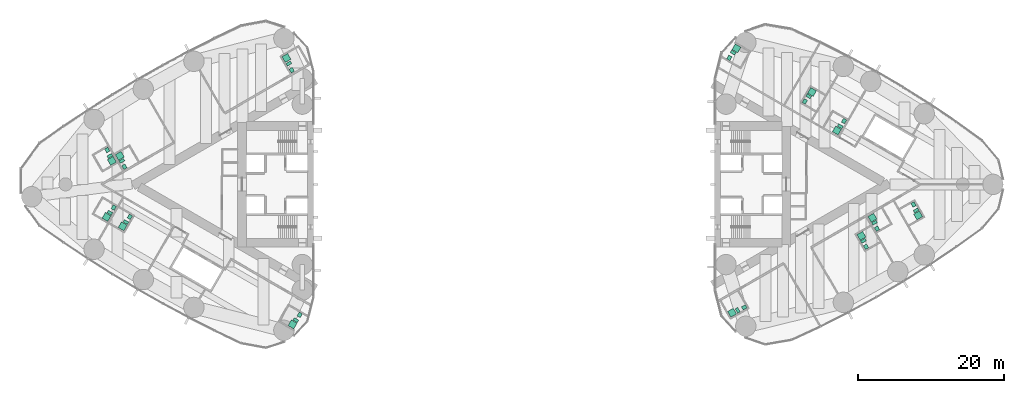
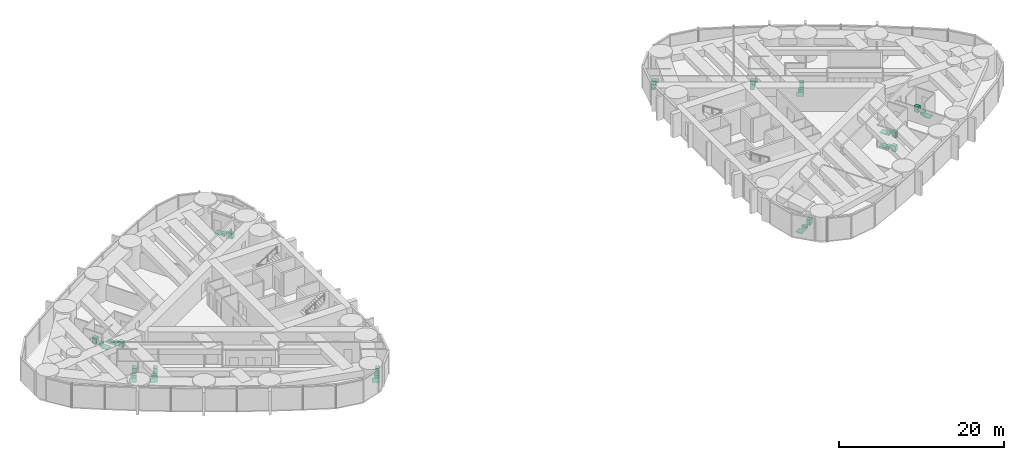
# One storey, part 18 of 18: 17 sanitary terminals.
"""IFC4 building model written with IfcOpenShell, lengths in metres."""

import ifcopenshell
import ifcopenshell.guid

model = None  # the IFC model being written
_history = None  # IfcOwnerHistory: only IFC2X3 demands one
_inside = {}  # id of a spatial element -> (the spatial element, [elements in it])
_under = {}  # id of a project, library or spatial element -> (it, [spatial elements below it])
_declared = {}  # id of a project -> (the project, [libraries it declares])
_typed = {}  # id of a type object -> (the type object, [elements of that type])
_made_of = {}  # id of a material, layer set ... -> (it, [elements and type objects made of it])


def new_model(schema):
    """Start an empty IFC model of exactly this schema.

    Asked for "IFC4X3", IfcOpenShell would pick the latest addendum, in which some entities
    have other attributes; the version numbers below select the first issue.
    IFC2X3 requires an IfcOwnerHistory on every rooted entity: one is made here for all.
    """
    global model, _history
    if schema == "IFC4X3":
        model = ifcopenshell.file(schema_version=(4, 3, 0, 0))
    else:
        model = ifcopenshell.file(schema=schema)
    _inside.clear()
    _under.clear()
    _declared.clear()
    _typed.clear()
    _made_of.clear()
    _history = None
    if model.schema == "IFC2X3":
        org = make("IfcOrganization", Name="unknown")
        user = make(
            "IfcPersonAndOrganization",
            ThePerson=make("IfcPerson", FamilyName="unknown"),
            TheOrganization=org,
        )
        app = make(
            "IfcApplication",
            ApplicationDeveloper=org,
            Version="unknown",
            ApplicationFullName="unknown",
            ApplicationIdentifier="unknown",
        )
        _history = make(
            "IfcOwnerHistory",
            OwningUser=user,
            OwningApplication=app,
            ChangeAction="ADDED",
            CreationDate=0,
        )
    return model


def make(cls, **values):
    """One entity of the class cls with the attributes given. An attribute that is None is left unset."""
    return model.create_entity(
        cls, **{name: value for name, value in values.items() if value is not None}
    )


def rooted(cls, **values):
    """An entity with a GlobalId (a new one), such as an element, a storey or a relation."""
    return make(cls, GlobalId=ifcopenshell.guid.new(), OwnerHistory=_history, **values)


def si_unit(unit_type, name, prefix=None):
    """IfcSIUnit, for example si_unit("LENGTHUNIT", "METRE", prefix="MILLI")."""
    return make("IfcSIUnit", UnitType=unit_type, Prefix=prefix, Name=name)


def assignment(units):
    """IfcUnitAssignment: the units of a project."""
    return None if units is None else make("IfcUnitAssignment", Units=units)


def point(xyz):
    """IfcCartesianPoint."""
    return None if xyz is None else make("IfcCartesianPoint", Coordinates=xyz)


def direction(xyz):
    """IfcDirection."""
    return None if xyz is None else make("IfcDirection", DirectionRatios=xyz)


def frame(location, z_axis=None, x_axis=None):
    """IfcAxis2Placement3D, a coordinate frame: its origin and axes. An axis left out is left unset."""
    return make(
        "IfcAxis2Placement3D",
        Location=point(location),
        Axis=direction(z_axis),
        RefDirection=direction(x_axis),
    )


def frame_2d(location, x_axis=None):
    """IfcAxis2Placement2D, a coordinate frame in the plane: its origin and x axis."""
    return make(
        "IfcAxis2Placement2D", Location=point(location), RefDirection=direction(x_axis)
    )


def origin():
    """The frame at (0, 0, 0) with its axes left unset."""
    return frame((0.0, 0.0, 0.0))


def origin_2d():
    """The frame at (0, 0) in the plane with its x axis left unset."""
    return frame_2d((0.0, 0.0))


def place(relative_to, where):
    """IfcLocalPlacement: puts the frame where relative to a parent placement (None: the world)."""
    return make(
        "IfcLocalPlacement", PlacementRelTo=relative_to, RelativePlacement=where
    )


def context(
    kind, dimensions, precision=None, world=None, true_north=None, identifier=None
):
    """IfcGeometricRepresentationContext, for example the 3D "Model" context."""
    return make(
        "IfcGeometricRepresentationContext",
        ContextIdentifier=identifier,
        ContextType=kind,
        CoordinateSpaceDimension=dimensions,
        Precision=precision,
        WorldCoordinateSystem=world,
        TrueNorth=true_north,
    )


def subcontext(parent, identifier, kind, view, scale=None):
    """IfcGeometricRepresentationSubContext, for example "Body" below "Model"."""
    return make(
        "IfcGeometricRepresentationSubContext",
        ContextIdentifier=identifier,
        ContextType=kind,
        ParentContext=parent,
        TargetScale=scale,
        TargetView=view,
    )


def project(units=None, contexts=None):
    """IfcProject with its units and contexts."""
    return rooted(
        "IfcProject",
        Name="project",
        RepresentationContexts=contexts,
        UnitsInContext=assignment(units),
    )


def spatial(cls, under=None, at=None, **own):
    """A site, building, storey or space (cls), placed at a placement, below another one or the project."""
    s = rooted(cls, ObjectPlacement=at, **own)
    if under is not None:
        _under.setdefault(under.id(), (under, []))[1].append(s)
    return s


def profile(cls, at=None, kind="AREA", **sizes):
    """A parametric profile (cls). Its sizes go by their IFC names, for example OverallWidth=200.0."""
    return make(cls, ProfileType=kind, Position=at, **sizes)


def rectangle(**sizes):
    """IfcRectangleProfileDef."""
    return profile("IfcRectangleProfileDef", **sizes)


def extrude(swept, where, along, depth):
    """IfcExtrudedAreaSolid: the profile swept, set in the frame where, extruded along a direction by depth."""
    return make(
        "IfcExtrudedAreaSolid",
        SweptArea=swept,
        Position=where,
        ExtrudedDirection=direction(along),
        Depth=depth,
    )


def shape(context_of_items, identifier, shape_type, items):
    """IfcShapeRepresentation: the items that make up one representation, for example the "Body"."""
    return make(
        "IfcShapeRepresentation",
        ContextOfItems=context_of_items,
        RepresentationIdentifier=identifier,
        RepresentationType=shape_type,
        Items=items,
    )


def material(Name=None, Category=None):
    """IfcMaterial."""
    return make("IfcMaterial", Name=Name, Category=Category)


def made_of(thing, what):
    """Note that an element or type object is made of a material, layer set ...; save() writes the relation."""
    if what is not None:
        _made_of.setdefault(what.id(), (what, []))[1].append(thing)
    return thing


def type_object(cls, material=None, **own):
    """A type object (cls), such as IfcWallType, which elements share."""
    return made_of(rooted(cls, **own), material)


def element(
    cls,
    number,
    at=None,
    inside=None,
    cuts=None,
    type_object=None,
    material=None,
    context=None,
    identifier="Body",
    shape_type=None,
    held_by="IfcProductDefinitionShape",
    body=None,
    shapes=None,
    **own,
):
    """One element of the class cls, such as IfcWall. Its Tag is "e" and its number.

    at: its placement. inside: the storey or other place that contains it. cuts: it is an
    opening in that element (IfcRelVoidsElement). A single representation is given by context,
    identifier, shape_type and body (its items); several are given by shapes. held_by: the class
    of the entity that holds the representations. save() writes the other relations.
    """
    e = rooted(cls, Tag="e%d" % number, ObjectPlacement=at, **own)
    if body is not None:
        shapes = [shape(context, identifier, shape_type, body)]
    if shapes is not None:
        e.Representation = make(held_by, Representations=shapes)
    if inside is not None:
        _inside.setdefault(inside.id(), (inside, []))[1].append(e)
    if cuts is not None:
        rooted(
            "IfcRelVoidsElement", RelatingBuildingElement=cuts, RelatedOpeningElement=e
        )
    if type_object is not None:
        _typed.setdefault(type_object.id(), (type_object, []))[1].append(e)
    return made_of(e, material)


def aggregate(whole, parts):
    """IfcRelAggregates: a whole, such as a stair, and the parts it consists of."""
    return rooted("IfcRelAggregates", RelatingObject=whole, RelatedObjects=parts)


def save(model, path):
    """Write the relations noted so far, then the file.

    IfcRelAggregates (storeys below a building ...), IfcRelContainedInSpatialStructure (elements
    in a storey), IfcRelDefinesByType, IfcRelAssociatesMaterial and IfcRelDeclares: one each for
    every whole, place, type object, material and project.
    """
    for whole, parts in _under.values():
        aggregate(whole, parts)
    for where, things in _inside.values():
        rooted(
            "IfcRelContainedInSpatialStructure",
            RelatedElements=things,
            RelatingStructure=where,
        )
    for kind, things in _typed.values():
        rooted("IfcRelDefinesByType", RelatedObjects=things, RelatingType=kind)
    for what, things in _made_of.values():
        rooted("IfcRelAssociatesMaterial", RelatedObjects=things, RelatingMaterial=what)
    for by, libraries in _declared.values():
        rooted("IfcRelDeclares", RelatingContext=by, RelatedDefinitions=libraries)
    model.write(path)


model = new_model("IFC4")

# Units and contexts
model_context = context("Model", 3, precision=1e-05, world=origin(), true_north=direction((0.0, 1.0)))
body_context = subcontext(model_context, "Body", "Model", "MODEL_VIEW")
ifc_project = project(units=[si_unit("LENGTHUNIT", "METRE"), si_unit("AREAUNIT", "SQUARE_METRE"), si_unit("VOLUMEUNIT", "CUBIC_METRE"), si_unit("PLANEANGLEUNIT", "RADIAN"), si_unit("MASSUNIT", "GRAM", prefix="KILO")], contexts=[model_context])

# Site, building, storey
site_placement = place(None, origin())
site = spatial("IfcSite", under=ifc_project, at=site_placement, CompositionType="ELEMENT")
building_placement = place(site_placement, origin())
building = spatial("IfcBuilding", under=site, at=building_placement, Name="Lancet Gate Hotel", CompositionType="ELEMENT")
storey_placement = place(building_placement, frame((0.0, 0.0, 166.800048828125)))
storey = spatial("IfcBuildingStorey", under=building, at=storey_placement, Name="L44", CompositionType="ELEMENT", Elevation=166.800048828125)

# Sanitary terminals
ifc_material_1 = material(Name="Vitreous china sanitary ware")
sanitary_terminal_type_1 = type_object("IfcSanitaryTerminalType", Name="En-suite sanitary set (shower, WC, basin)", PredefinedType="USERDEFINED", material=ifc_material_1)
sanitary_terminal_1_placement = place(storey_placement, frame((-54.058349609375, 3.90869140625, 0.0), z_axis=(0.0, 0.0, 1.0), x_axis=(1.0, 0.0, 0.0)))
element("IfcSanitaryTerminal", 1, at=sanitary_terminal_1_placement, inside=storey, type_object=sanitary_terminal_type_1, Name="En-suite sanitary set (shower, WC, basin) 4403", ObjectType="EN-SUITE SANITARY SET", PredefinedType="USERDEFINED", context=body_context, shape_type="SweptSolid", body=[
    extrude(rectangle(XDim=0.89990234375, YDim=0.89990234375, at=origin_2d()), frame((0.0, 0.0, 0.0), z_axis=(0.0, 0.0, 1.0), x_axis=(-0.5, 0.866025403784, 0.0)), (0.0, 0.0, 1.0), 0.050048828125),
    extrude(rectangle(XDim=0.39990234375, YDim=0.699951171875, at=origin_2d()), frame((0.2783203125, -0.682373046875, 0.0), z_axis=(0.0, 0.0, 1.0), x_axis=(-0.5, 0.866025403784, 0.0)), (0.0, 0.0, 1.0), 0.39990234375),
    extrude(rectangle(XDim=0.60009765625, YDim=0.5, at=origin_2d()), frame((0.631591796875, -1.494384765625, 0.0), z_axis=(0.0, 0.0, 1.0), x_axis=(-0.5, 0.866025403784, 0.0)), (0.0, 0.0, 1.0), 0.85009765625),
])
sanitary_terminal_2_placement = place(storey_placement, frame((-55.1455078125, 3.211669921875, 0.0), z_axis=(0.0, 0.0, 1.0), x_axis=(1.0, 0.0, 0.0)))
element("IfcSanitaryTerminal", 2, at=sanitary_terminal_2_placement, inside=storey, type_object=sanitary_terminal_type_1, Name="En-suite sanitary set (shower, WC, basin) 4404", ObjectType="EN-SUITE SANITARY SET", PredefinedType="USERDEFINED", context=body_context, shape_type="SweptSolid", body=[
    extrude(rectangle(XDim=0.89990234375, YDim=0.89990234375, at=origin_2d()), frame((0.0, 0.0, 0.0), z_axis=(0.0, 0.0, 1.0), x_axis=(0.5, -0.866025403784, 0.0)), (0.0, 0.0, 1.0), 0.050048828125),
    extrude(rectangle(XDim=0.39990234375, YDim=0.699951171875, at=origin_2d()), frame((-0.278564453125, 0.68212890625, 0.0), z_axis=(0.0, 0.0, 1.0), x_axis=(0.5, -0.866025403784, 0.0)), (0.0, 0.0, 1.0), 0.39990234375),
    extrude(rectangle(XDim=0.60009765625, YDim=0.5, at=origin_2d()), frame((-0.6318359375, 1.494140625, 0.0), z_axis=(0.0, 0.0, 1.0), x_axis=(0.5, -0.866025403784, 0.0)), (0.0, 0.0, 1.0), 0.85009765625),
])
sanitary_terminal_3_placement = place(storey_placement, frame((-55.87548828125, -4.47607421875, 0.0), z_axis=(0.0, 0.0, 1.0), x_axis=(1.0, 0.0, 0.0)))
element("IfcSanitaryTerminal", 3, at=sanitary_terminal_3_placement, inside=storey, type_object=sanitary_terminal_type_1, Name="En-suite sanitary set (shower, WC, basin) 4405", ObjectType="EN-SUITE SANITARY SET", PredefinedType="USERDEFINED", context=body_context, shape_type="SweptSolid", body=[
    extrude(rectangle(XDim=0.89990234375, YDim=0.89990234375, at=origin_2d()), frame((0.0, 0.0, 0.0), z_axis=(0.0, 0.0, 1.0), x_axis=(-0.5, -0.866025403784, 0.0)), (0.0, 0.0, 1.0), 0.050048828125),
    extrude(rectangle(XDim=0.39990234375, YDim=0.699951171875, at=origin_2d()), frame((0.451416015625, 0.582275390625, 0.0), z_axis=(0.0, 0.0, 1.0), x_axis=(-0.5, -0.866025403784, 0.0)), (0.0, 0.0, 1.0), 0.39990234375),
    extrude(rectangle(XDim=0.60009765625, YDim=0.5, at=origin_2d()), frame((0.97802734375, 1.29443359375, 0.0), z_axis=(0.0, 0.0, 1.0), x_axis=(-0.5, -0.866025403784, 0.0)), (0.0, 0.0, 1.0), 0.85009765625),
])
for number, where, z_axis, x_axis, name in (
    (4, (-53.667236328125, -5.7509765625, 0.0), (0.0, 0.0, 1.0), (1.0, 0.0, 0.0), "En-suite sanitary set (shower, WC, basin) 4406"),
    (5, (-30.37841796875, -19.19677734375, 0.0), (0.0, 0.0, 1.0), (1.0, 0.0, 0.0), "En-suite sanitary set (shower, WC, basin) 4408"),
):
    element("IfcSanitaryTerminal", number, at=place(storey_placement, frame(where, z_axis=z_axis, x_axis=x_axis)), inside=storey, type_object=sanitary_terminal_type_1, Name=name, ObjectType="EN-SUITE SANITARY SET", PredefinedType="USERDEFINED", context=body_context, shape_type="SweptSolid", body=[
        extrude(rectangle(XDim=0.89990234375, YDim=0.89990234375, at=origin_2d()), frame((0.0, 0.0, 0.0), z_axis=(0.0, 0.0, 1.0), x_axis=(-0.5, -0.866025403784, 0.0)), (0.0, 0.0, 1.0), 0.050048828125),
        extrude(rectangle(XDim=0.39990234375, YDim=0.699951171875, at=origin_2d()), frame((0.451416015625, 0.582275390625, 0.0), z_axis=(0.0, 0.0, 1.0), x_axis=(-0.5, -0.866025403784, 0.0)), (0.0, 0.0, 1.0), 0.39990234375),
        extrude(rectangle(XDim=0.60009765625, YDim=0.5, at=origin_2d()), frame((0.97802734375, 1.294189453125, 0.0), z_axis=(0.0, 0.0, 1.0), x_axis=(-0.5, -0.866025403784, 0.0)), (0.0, 0.0, 1.0), 0.85009765625),
    ])
sanitary_terminal_4_placement = place(storey_placement, frame((47.60986328125, -7.062255859375, 0.0), z_axis=(0.0, 0.0, 1.0), x_axis=(1.0, 0.0, 0.0)))
element("IfcSanitaryTerminal", 6, at=sanitary_terminal_4_placement, inside=storey, type_object=sanitary_terminal_type_1, Name="En-suite sanitary set (shower, WC, basin) 4454", ObjectType="EN-SUITE SANITARY SET", PredefinedType="USERDEFINED", context=body_context, shape_type="SweptSolid", body=[
    extrude(rectangle(XDim=0.89990234375, YDim=0.89990234375, at=origin_2d()), frame((0.0, 0.0, 0.0), z_axis=(0.0, 0.0, 1.0), x_axis=(-0.5, 0.866025403784, 0.0)), (0.0, 0.0, 1.0), 0.050048828125),
    extrude(rectangle(XDim=0.39990234375, YDim=0.699951171875, at=origin_2d()), frame((0.2783203125, -0.68212890625, 0.0), z_axis=(0.0, 0.0, 1.0), x_axis=(-0.5, 0.866025403784, 0.0)), (0.0, 0.0, 1.0), 0.39990234375),
    extrude(rectangle(XDim=0.60009765625, YDim=0.5, at=origin_2d()), frame((0.6318359375, -1.494384765625, 0.0), z_axis=(0.0, 0.0, 1.0), x_axis=(-0.5, 0.866025403784, 0.0)), (0.0, 0.0, 1.0), 0.85009765625),
])
sanitary_terminal_5_placement = place(storey_placement, frame((49.118408203125, -4.574951171875, 0.0), z_axis=(0.0, 0.0, 1.0), x_axis=(1.0, 0.0, 0.0)))
element("IfcSanitaryTerminal", 7, at=sanitary_terminal_5_placement, inside=storey, type_object=sanitary_terminal_type_1, Name="En-suite sanitary set (shower, WC, basin) 4456", ObjectType="EN-SUITE SANITARY SET", PredefinedType="USERDEFINED", context=body_context, shape_type="SweptSolid", body=[
    extrude(rectangle(XDim=0.89990234375, YDim=0.89990234375, at=origin_2d()), frame((0.0, 0.0, 0.0), z_axis=(0.0, 0.0, 1.0), x_axis=(-0.5, 0.866025403784, 0.0)), (0.0, 0.0, 1.0), 0.050048828125),
    extrude(rectangle(XDim=0.39990234375, YDim=0.699951171875, at=origin_2d()), frame((0.2783203125, -0.68212890625, 0.0), z_axis=(0.0, 0.0, 1.0), x_axis=(-0.5, 0.866025403784, 0.0)), (0.0, 0.0, 1.0), 0.39990234375),
    extrude(rectangle(XDim=0.60009765625, YDim=0.5, at=origin_2d()), frame((0.631591796875, -1.494140625, 0.0), z_axis=(0.0, 0.0, 1.0), x_axis=(-0.5, 0.866025403784, 0.0)), (0.0, 0.0, 1.0), 0.85009765625),
])
sanitary_terminal_6_placement = place(storey_placement, frame((55.39013671875, -4.25634765625, 0.0), z_axis=(0.0, 0.0, 1.0), x_axis=(1.0, 0.0, 0.0)))
element("IfcSanitaryTerminal", 8, at=sanitary_terminal_6_placement, inside=storey, type_object=sanitary_terminal_type_1, Name="En-suite sanitary set (shower, WC, basin) 4457", ObjectType="EN-SUITE SANITARY SET", PredefinedType="USERDEFINED", context=body_context, shape_type="SweptSolid", body=[
    extrude(rectangle(XDim=0.89990234375, YDim=0.89990234375, at=origin_2d()), frame((0.0, 0.0, 0.0), z_axis=(0.0, 0.0, 1.0), x_axis=(0.5, -0.866025403784, 0.0)), (0.0, 0.0, 1.0), 0.050048828125),
    extrude(rectangle(XDim=0.39990234375, YDim=0.699951171875, at=origin_2d()), frame((-0.2783203125, 0.68212890625, 0.0), z_axis=(0.0, 0.0, 1.0), x_axis=(0.5, -0.866025403784, 0.0)), (0.0, 0.0, 1.0), 0.39990234375),
    extrude(rectangle(XDim=0.60009765625, YDim=0.5, at=origin_2d()), frame((-0.6318359375, 1.494384765625, 0.0), z_axis=(0.0, 0.0, 1.0), x_axis=(0.5, -0.866025403784, 0.0)), (0.0, 0.0, 1.0), 0.85009765625),
])
sanitary_terminal_7_placement = place(storey_placement, frame((44.247802734375, 7.38671875, 0.0), z_axis=(0.0, 0.0, 1.0), x_axis=(1.0, 0.0, 0.0)))
element("IfcSanitaryTerminal", 9, at=sanitary_terminal_7_placement, inside=storey, type_object=sanitary_terminal_type_1, Name="En-suite sanitary set (shower, WC, basin) 4461", ObjectType="EN-SUITE SANITARY SET", PredefinedType="USERDEFINED", context=body_context, shape_type="SweptSolid", body=[
    extrude(rectangle(XDim=0.89990234375, YDim=0.89990234375, at=origin_2d()), frame((0.0, 0.0, 0.0), z_axis=(0.0, 0.0, 1.0), x_axis=(-0.5, -0.866025403784, 0.0)), (0.0, 0.0, 1.0), 0.050048828125),
    extrude(rectangle(XDim=0.39990234375, YDim=0.699951171875, at=origin_2d()), frame((0.45166015625, 0.582275390625, 0.0), z_axis=(0.0, 0.0, 1.0), x_axis=(-0.5, -0.866025403784, 0.0)), (0.0, 0.0, 1.0), 0.39990234375),
    extrude(rectangle(XDim=0.60009765625, YDim=0.5, at=origin_2d()), frame((0.978271484375, 1.29443359375, 0.0), z_axis=(0.0, 0.0, 1.0), x_axis=(-0.5, -0.866025403784, 0.0)), (0.0, 0.0, 1.0), 0.85009765625),
])
sanitary_terminal_8_placement = place(storey_placement, frame((40.83447265625, 12.659912109375, 0.0), z_axis=(0.0, 0.0, 1.0), x_axis=(1.0, 0.0, 0.0)))
element("IfcSanitaryTerminal", 10, at=sanitary_terminal_8_placement, inside=storey, type_object=sanitary_terminal_type_1, Name="En-suite sanitary set (shower, WC, basin) 4462", ObjectType="EN-SUITE SANITARY SET", PredefinedType="USERDEFINED", context=body_context, shape_type="SweptSolid", body=[
    extrude(rectangle(XDim=0.89990234375, YDim=0.89990234375, at=origin_2d()), frame((0.0, 0.0, 0.0), z_axis=(0.0, 0.0, 1.0), x_axis=(0.5, 0.866025403784, 0.0)), (0.0, 0.0, 1.0), 0.050048828125),
    extrude(rectangle(XDim=0.39990234375, YDim=0.699951171875, at=origin_2d()), frame((-0.45166015625, -0.58203125, 0.0), z_axis=(0.0, 0.0, 1.0), x_axis=(0.5, 0.866025403784, 0.0)), (0.0, 0.0, 1.0), 0.39990234375),
    extrude(rectangle(XDim=0.60009765625, YDim=0.5, at=origin_2d()), frame((-0.978271484375, -1.294189453125, 0.0), z_axis=(0.0, 0.0, 1.0), x_axis=(0.5, 0.866025403784, 0.0)), (0.0, 0.0, 1.0), 0.85009765625),
])
sanitary_terminal_9_placement = place(storey_placement, frame((30.477783203125, 18.639404296875, 0.0), z_axis=(0.0, 0.0, 1.0), x_axis=(1.0, 0.0, 0.0)))
element("IfcSanitaryTerminal", 11, at=sanitary_terminal_9_placement, inside=storey, type_object=sanitary_terminal_type_1, Name="En-suite sanitary set (shower, WC, basin) 4463", ObjectType="EN-SUITE SANITARY SET", PredefinedType="USERDEFINED", context=body_context, shape_type="SweptSolid", body=[
    extrude(rectangle(XDim=0.89990234375, YDim=0.89990234375, at=origin_2d()), frame((0.0, 0.0, 0.0), z_axis=(0.0, 0.0, 1.0), x_axis=(0.5, 0.866025403784, 0.0)), (0.0, 0.0, 1.0), 0.050048828125),
    extrude(rectangle(XDim=0.39990234375, YDim=0.699951171875, at=origin_2d()), frame((-0.451416015625, -0.582275390625, 0.0), z_axis=(0.0, 0.0, 1.0), x_axis=(0.5, 0.866025403784, 0.0)), (0.0, 0.0, 1.0), 0.39990234375),
    extrude(rectangle(XDim=0.60009765625, YDim=0.5, at=origin_2d()), frame((-0.97802734375, -1.29443359375, 0.0), z_axis=(0.0, 0.0, 1.0), x_axis=(0.5, 0.866025403784, 0.0)), (0.0, 0.0, 1.0), 0.85009765625),
])
ifc_material_2 = material(Name="Stone resin shower tray", Category="masonry")
sanitary_terminal_type_2 = type_object("IfcSanitaryTerminalType", Name="Shower tray 900", PredefinedType="SHOWER", material=ifc_material_2)
for number, where, z_axis, x_axis, name in (
    (12, (-31.216064453125, 17.327392578125, 0.0), (0.0, 0.0, 1.0), (-0.5, 0.866025403784, 0.0), "Shower tray 900 4401"),
    (13, (29.8779296875, -17.60009765625, 0.0), (0.0, 0.0, 1.0), (-0.866025403784, -0.5, 0.0), "Shower tray 900 4451"),
):
    element("IfcSanitaryTerminal", number, at=place(storey_placement, frame(where, z_axis=z_axis, x_axis=x_axis)), inside=storey, type_object=sanitary_terminal_type_2, Name=name, PredefinedType="SHOWER", context=body_context, shape_type="SweptSolid", body=[
        extrude(rectangle(XDim=0.89990234375, YDim=0.89990234375, at=origin_2d()), origin(), (0.0, 0.0, 1.0), 0.050048828125),
    ])
ifc_material_3 = material(Name="Vitreous china sanitary ware")
sanitary_terminal_type_3 = type_object("IfcSanitaryTerminalType", Name="Vanity basin 600", PredefinedType="WASHHANDBASIN", material=ifc_material_3)
for number, where, z_axis, x_axis, name in (
    (14, (-30.484375, 15.659912109375, 0.0), (0.0, 0.0, 1.0), (-0.5, 0.866025403784, 0.0), "Vanity basin 600 4401"),
    (15, (31.54541015625, -16.868408203125, 0.0), (0.0, 0.0, 1.0), (-0.866025403784, -0.5, 0.0), "Vanity basin 600 4451"),
):
    element("IfcSanitaryTerminal", number, at=place(storey_placement, frame(where, z_axis=z_axis, x_axis=x_axis)), inside=storey, type_object=sanitary_terminal_type_3, Name=name, PredefinedType="WASHHANDBASIN", context=body_context, shape_type="SweptSolid", body=[
        extrude(rectangle(XDim=0.60009765625, YDim=0.5, at=origin_2d()), origin(), (0.0, 0.0, 1.0), 0.85009765625),
    ])
ifc_material_4 = material(Name="Vitreous china sanitary ware")
sanitary_terminal_type_4 = type_object("IfcSanitaryTerminalType", Name="WC pan wall hung", PredefinedType="TOILETPAN", material=ifc_material_4)
for number, where, z_axis, x_axis, name in (
    (16, (-30.8876953125, 16.55859375, 0.0), (0.0, 0.0, 1.0), (-0.5, 0.866025403784, 0.0), "WC pan wall hung 4401"),
    (17, (30.646728515625, -17.271728515625, 0.0), (0.0, 0.0, 1.0), (-0.866025403784, -0.5, 0.0), "WC pan wall hung 4451"),
):
    element("IfcSanitaryTerminal", number, at=place(storey_placement, frame(where, z_axis=z_axis, x_axis=x_axis)), inside=storey, type_object=sanitary_terminal_type_4, Name=name, PredefinedType="TOILETPAN", context=body_context, shape_type="SweptSolid", body=[
        extrude(rectangle(XDim=0.39990234375, YDim=0.699951171875, at=origin_2d()), origin(), (0.0, 0.0, 1.0), 0.39990234375),
    ])

save(model, "model.ifc")
